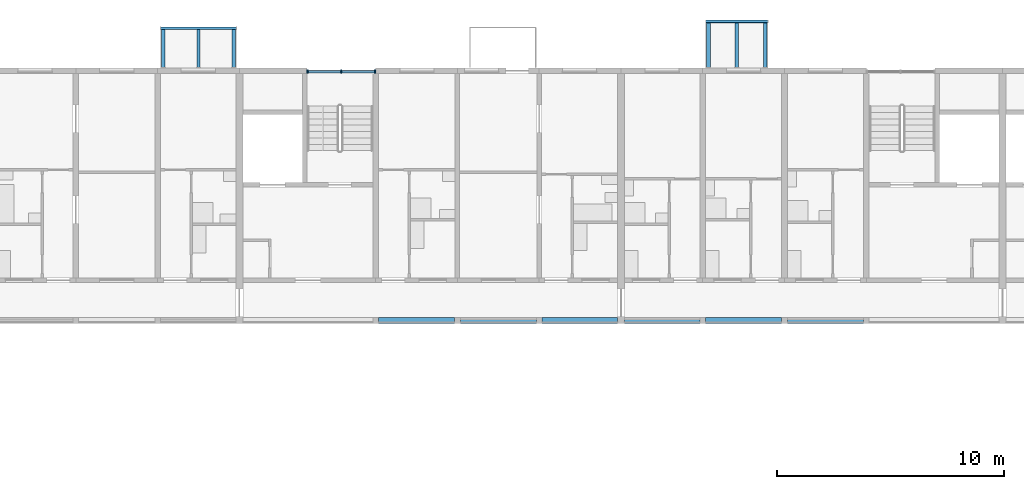
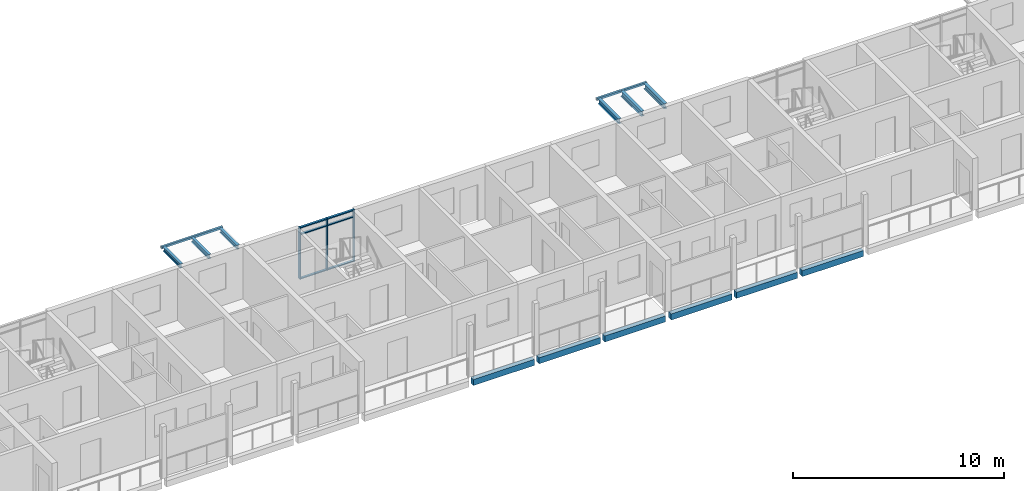
# One storey, part 27 of 115: 14 beams, 9 members, 1 element without a shape of its own.
"""IFC4 building model written with IfcOpenShell, lengths in metres."""

from ifc_helpers import new_model, si_unit, direction, frame, origin, origin_2d, place, context, subcontext, project, spatial, rectangle, hollow_rectangle, i_section, extrude, material, material_profile, profile_set, type_object, element, aggregate, save


model = new_model("IFC4")

# Units and contexts
model_context = context("Model", 3, precision=1e-05, world=origin(), true_north=direction((0.0, 1.0)))
body_context = subcontext(model_context, "Body", "Model", "MODEL_VIEW")
ifc_project = project(units=[si_unit("LENGTHUNIT", "METRE"), si_unit("AREAUNIT", "SQUARE_METRE"), si_unit("VOLUMEUNIT", "CUBIC_METRE"), si_unit("PLANEANGLEUNIT", "RADIAN"), si_unit("MASSUNIT", "GRAM", prefix="KILO")], contexts=[model_context])

# Site, building, storey
site_placement = place(None, origin())
site = spatial("IfcSite", under=ifc_project, at=site_placement, CompositionType="ELEMENT")
building_placement = place(site_placement, origin())
building = spatial("IfcBuilding", under=site, at=building_placement, Name="Ridgestep Commons", CompositionType="ELEMENT")
storey_placement = place(building_placement, frame((0.0, 0.0, 6.0)))
storey = spatial("IfcBuildingStorey", under=building, at=storey_placement, Name="L02", CompositionType="ELEMENT", Elevation=6.0)

# Beams
ifc_material_1 = material(Name="Precast concrete C40/50", Category="concrete")
ifc_material_profile_1 = material_profile(ifc_material_1, rectangle(XDim=0.25, YDim=0.35009765625, at=origin_2d()), Name="PC 250x350")
ifc_profile_set_1 = profile_set([ifc_material_profile_1], Name="Precast concrete C40/50")
beam_type_1 = type_object("IfcBeamType", Name="Loggia edge beam 250 x 350", PredefinedType="SPANDREL", material=ifc_profile_set_1)
beam_1_placement = place(storey_placement, frame((203.324951171875, 66.125, -0.375), z_axis=(1.0, 0.0, 0.0), x_axis=(0.0, 1.0, 0.0)))
element("IfcBeam", 1, at=beam_1_placement, inside=storey, type_object=beam_type_1, Name="Loggia edge beam C4T3 L02", PredefinedType="SPANDREL", context=body_context, shape_type="SweptSolid", body=[
    extrude(rectangle(XDim=0.25, YDim=0.35009765625, at=origin_2d()), origin(), (0.0, 0.0, 1.0), 3.35009765625),
])
beam_2_placement = place(storey_placement, frame((206.925048828125, 66.125, -0.375), z_axis=(1.0, 0.0, 0.0), x_axis=(0.0, 1.0, 0.0)))
element("IfcBeam", 2, at=beam_2_placement, inside=storey, type_object=beam_type_1, Name="Loggia edge beam C4T2 L02", PredefinedType="SPANDREL", context=body_context, shape_type="SweptSolid", body=[
    extrude(rectangle(XDim=0.25, YDim=0.35009765625, at=origin_2d()), origin(), (0.0, 0.0, 1.0), 3.349853515625),
])
for number, where, z_axis, x_axis, name in (
    (3, (210.52490234375, 66.125, -0.375), (1.0, 0.0, 0.0), (0.0, 1.0, 0.0), "Loggia edge beam C4T1 L02"),
    (4, (214.14990234375, 66.125, -0.375), (1.0, 0.0, 0.0), (0.0, 1.0, 0.0), "Loggia edge beam C5T1 L02"),
):
    element("IfcBeam", number, at=place(storey_placement, frame(where, z_axis=z_axis, x_axis=x_axis)), inside=storey, type_object=beam_type_1, Name=name, PredefinedType="SPANDREL", context=body_context, shape_type="SweptSolid", body=[
        extrude(rectangle(XDim=0.25, YDim=0.35009765625, at=origin_2d()), origin(), (0.0, 0.0, 1.0), 3.3251953125),
    ])
beam_3_placement = place(storey_placement, frame((217.72509765625, 66.125, -0.375), z_axis=(1.0, 0.0, 0.0), x_axis=(0.0, 1.0, 0.0)))
element("IfcBeam", 5, at=beam_3_placement, inside=storey, type_object=beam_type_1, Name="Loggia edge beam C5T2 L02", PredefinedType="SPANDREL", context=body_context, shape_type="SweptSolid", body=[
    extrude(rectangle(XDim=0.25, YDim=0.35009765625, at=origin_2d()), origin(), (0.0, 0.0, 1.0), 3.349853515625),
])
beam_4_placement = place(storey_placement, frame((221.324951171875, 66.125, -0.375), z_axis=(1.0, 0.0, 0.0), x_axis=(0.0, 1.0, 0.0)))
element("IfcBeam", 6, at=beam_4_placement, inside=storey, type_object=beam_type_1, Name="Loggia edge beam C5T3 L02", PredefinedType="SPANDREL", context=body_context, shape_type="SweptSolid", body=[
    extrude(rectangle(XDim=0.25, YDim=0.35009765625, at=origin_2d()), origin(), (0.0, 0.0, 1.0), 3.35009765625),
])

# Curtain wall, members
ifc_material_2 = material(Name="Aluminium 6063-T6 and glass", Category="aluminium")
curtain_wall_type = type_object("IfcCurtainWallType", Name="Curtain wall stair strip", PredefinedType="NOTDEFINED", material=ifc_material_2)
curtain_wall_placement = place(storey_placement, origin())
curtain_wall = element("IfcCurtainWall", 7, at=curtain_wall_placement, inside=storey, type_object=curtain_wall_type, Name="Curtain wall C4C level 02", PredefinedType="NOTDEFINED")
ifc_material_3 = material(Name="Aluminium 6063-T6", Category="aluminium")
ifc_material_profile_2 = material_profile(ifc_material_3, rectangle(XDim=0.159912109375, YDim=0.06005859375, at=origin_2d()), Name="Mullion 60 x 160")
ifc_profile_set_2 = profile_set([ifc_material_profile_2], Name="Aluminium 6063-T6")
member_type_1 = type_object("IfcMemberType", Name="Mullion 60 x 160", PredefinedType="MULLION", material=ifc_profile_set_2)
member_1_placement = place(storey_placement, frame((200.205078125, 77.080078125, 0.0), z_axis=(0.0, 0.0, 1.0), x_axis=(0.0, 1.0, 0.0)))
member_1 = element("IfcMember", 8, at=member_1_placement, type_object=member_type_1, Name="CW1 mullion 1", PredefinedType="MULLION", context=body_context, shape_type="SweptSolid", body=[
    extrude(rectangle(XDim=0.159912109375, YDim=0.06005859375, at=origin_2d()), origin(), (0.0, 0.0, 1.0), 3.0),
])
member_2_placement = place(storey_placement, frame((201.6875, 77.080078125, 0.0), z_axis=(0.0, 0.0, 1.0), x_axis=(0.0, 1.0, 0.0)))
member_2 = element("IfcMember", 9, at=member_2_placement, type_object=member_type_1, Name="CW1 mullion 2", PredefinedType="MULLION", context=body_context, shape_type="SweptSolid", body=[
    extrude(rectangle(XDim=0.159912109375, YDim=0.06005859375, at=origin_2d()), origin(), (0.0, 0.0, 1.0), 3.0),
])
member_3_placement = place(storey_placement, frame((203.169921875, 77.080078125, 0.0), z_axis=(0.0, 0.0, 1.0), x_axis=(0.0, 1.0, 0.0)))
member_3 = element("IfcMember", 10, at=member_3_placement, type_object=member_type_1, Name="CW1 mullion 3", PredefinedType="MULLION", context=body_context, shape_type="SweptSolid", body=[
    extrude(rectangle(XDim=0.159912109375, YDim=0.06005859375, at=origin_2d()), origin(), (0.0, 0.0, 1.0), 3.0),
])
ifc_material_4 = material(Name="Aluminium 6063-T6", Category="aluminium")
ifc_material_profile_3 = material_profile(ifc_material_4, rectangle(XDim=0.1201171875, YDim=0.06005859375, at=origin_2d()), Name="Transom 60 x 120")
ifc_profile_set_3 = profile_set([ifc_material_profile_3], Name="Aluminium 6063-T6")
member_type_2 = type_object("IfcMemberType", Name="Transom 60 x 120", PredefinedType="USERDEFINED", material=ifc_profile_set_3)
member_4_placement = place(storey_placement, frame((200.235107421875, 77.080078125, 0.030029296875), z_axis=(1.0, 0.0, 0.0), x_axis=(0.0, 1.0, 0.0)))
member_4 = element("IfcMember", 11, at=member_4_placement, type_object=member_type_2, Name="CW1 transom 1.1", ObjectType="TRANSOM", PredefinedType="USERDEFINED", context=body_context, shape_type="SweptSolid", body=[
    extrude(rectangle(XDim=0.1201171875, YDim=0.06005859375, at=origin_2d()), origin(), (0.0, 0.0, 1.0), 1.42236328125),
])
member_5_placement = place(storey_placement, frame((200.235107421875, 77.080078125, 2.590087890625), z_axis=(1.0, 0.0, 0.0), x_axis=(0.0, 1.0, 0.0)))
member_5 = element("IfcMember", 12, at=member_5_placement, type_object=member_type_2, Name="CW1 transom 1.2", ObjectType="TRANSOM", PredefinedType="USERDEFINED", context=body_context, shape_type="SweptSolid", body=[
    extrude(rectangle(XDim=0.1201171875, YDim=0.06005859375, at=origin_2d()), origin(), (0.0, 0.0, 1.0), 1.42236328125),
])
member_6_placement = place(storey_placement, frame((200.235107421875, 77.080078125, 2.969970703125), z_axis=(1.0, 0.0, 0.0), x_axis=(0.0, 1.0, 0.0)))
member_6 = element("IfcMember", 13, at=member_6_placement, type_object=member_type_2, Name="CW1 transom 1.3", ObjectType="TRANSOM", PredefinedType="USERDEFINED", context=body_context, shape_type="SweptSolid", body=[
    extrude(rectangle(XDim=0.1201171875, YDim=0.06005859375, at=origin_2d()), origin(), (0.0, 0.0, 1.0), 1.42236328125),
])
member_7_placement = place(storey_placement, frame((201.717529296875, 77.080078125, 0.030029296875), z_axis=(1.0, 0.0, 0.0), x_axis=(0.0, 1.0, 0.0)))
member_7 = element("IfcMember", 14, at=member_7_placement, type_object=member_type_2, Name="CW1 transom 2.1", ObjectType="TRANSOM", PredefinedType="USERDEFINED", context=body_context, shape_type="SweptSolid", body=[
    extrude(rectangle(XDim=0.1201171875, YDim=0.06005859375, at=origin_2d()), origin(), (0.0, 0.0, 1.0), 1.42236328125),
])
member_8_placement = place(storey_placement, frame((201.717529296875, 77.080078125, 2.590087890625), z_axis=(1.0, 0.0, 0.0), x_axis=(0.0, 1.0, 0.0)))
member_8 = element("IfcMember", 15, at=member_8_placement, type_object=member_type_2, Name="CW1 transom 2.2", ObjectType="TRANSOM", PredefinedType="USERDEFINED", context=body_context, shape_type="SweptSolid", body=[
    extrude(rectangle(XDim=0.1201171875, YDim=0.06005859375, at=origin_2d()), origin(), (0.0, 0.0, 1.0), 1.42236328125),
])
member_9_placement = place(storey_placement, frame((201.717529296875, 77.080078125, 2.969970703125), z_axis=(1.0, 0.0, 0.0), x_axis=(0.0, 1.0, 0.0)))
member_9 = element("IfcMember", 16, at=member_9_placement, type_object=member_type_2, Name="CW1 transom 2.3", ObjectType="TRANSOM", PredefinedType="USERDEFINED", context=body_context, shape_type="SweptSolid", body=[
    extrude(rectangle(XDim=0.1201171875, YDim=0.06005859375, at=origin_2d()), origin(), (0.0, 0.0, 1.0), 1.42236328125),
])
aggregate(curtain_wall, [member_1, member_2, member_3, member_4, member_5, member_6, member_7, member_8, member_9])

# Beams
ifc_material_5 = material(Name="Weathering steel S355J2W", Category="steel")
ifc_material_profile_4 = material_profile(ifc_material_5, i_section(OverallWidth=0.14599609375, OverallDepth=0.25146484375, WebThickness=0.006103515625, FlangeThickness=0.008544921875, FilletRadius=0.007568359375, at=origin_2d()), Name="UB 254x146x31")
ifc_profile_set_4 = profile_set([ifc_material_profile_4], Name="Weathering steel S355J2W")
beam_type_2 = type_object("IfcBeamType", Name="Tray arm UB 254x146x31", PredefinedType="BEAM", material=ifc_profile_set_4)
for number, where, z_axis, x_axis, name in (
    (17, (193.85009765625, 77.264892578125, 2.8642578125), (0.0, 1.0, 0.0), (-1.0, 0.0, 0.0), "Tray arm C3T1-03.1"),
    (18, (195.39990234375, 77.264892578125, 2.8642578125), (0.0, 1.0, 0.0), (-1.0, 0.0, 0.0), "Tray arm C3T1-03.2"),
    (19, (196.949951171875, 77.264892578125, 2.8642578125), (0.0, 1.0, 0.0), (-1.0, 0.0, 0.0), "Tray arm C3T1-03.3"),
):
    element("IfcBeam", number, at=place(storey_placement, frame(where, z_axis=z_axis, x_axis=x_axis)), inside=storey, type_object=beam_type_2, Name=name, PredefinedType="BEAM", context=body_context, shape_type="SweptSolid", body=[
        extrude(i_section(OverallWidth=0.14599609375, OverallDepth=0.25146484375, WebThickness=0.006103515625, FlangeThickness=0.008544921875, FilletRadius=0.007568359375, at=origin_2d()), origin(), (0.0, 0.0, 1.0), 1.6650390625),
    ])
ifc_material_6 = material(Name="Weathering steel S355J2W", Category="steel")
ifc_material_profile_5 = material_profile(ifc_material_6, i_section(OverallWidth=0.1650390625, OverallDepth=0.303466796875, WebThickness=0.006103515625, FlangeThickness=0.01025390625, FilletRadius=0.0087890625, at=origin_2d()), Name="UB 305x165x40")
ifc_profile_set_5 = profile_set([ifc_material_profile_5], Name="Weathering steel S355J2W")
beam_type_3 = type_object("IfcBeamType", Name="Tray arm UB 305x165x40", PredefinedType="BEAM", material=ifc_profile_set_5)
for number, where, z_axis, x_axis, name in (
    (20, (217.85009765625, 77.264892578125, 2.83837890625), (0.0, 1.0, 0.0), (-1.0, 0.0, 0.0), "Tray arm C5T2-03.1"),
    (21, (219.10009765625, 77.264892578125, 2.83837890625), (0.0, 1.0, 0.0), (-1.0, 0.0, 0.0), "Tray arm C5T2-03.2"),
    (22, (220.35009765625, 77.264892578125, 2.83837890625), (0.0, 1.0, 0.0), (-1.0, 0.0, 0.0), "Tray arm C5T2-03.3"),
):
    element("IfcBeam", number, at=place(storey_placement, frame(where, z_axis=z_axis, x_axis=x_axis)), inside=storey, type_object=beam_type_3, Name=name, PredefinedType="BEAM", context=body_context, shape_type="SweptSolid", body=[
        extrude(i_section(OverallWidth=0.1650390625, OverallDepth=0.303466796875, WebThickness=0.006103515625, FlangeThickness=0.01025390625, FilletRadius=0.0087890625, at=origin_2d()), origin(), (0.0, 0.0, 1.0), 1.965087890625),
    ])
ifc_material_7 = material(Name="Weathering steel S355J2W", Category="steel")
ifc_material_profile_6 = material_profile(ifc_material_7, hollow_rectangle(XDim=0.1201171875, YDim=0.1201171875, WallThickness=0.00634765625, InnerFilletRadius=0.00634765625, OuterFilletRadius=0.009521484375, at=origin_2d()), Name="SHS 120x120x6.3")
ifc_profile_set_6 = profile_set([ifc_material_profile_6], Name="Weathering steel S355J2W")
beam_type_4 = type_object("IfcBeamType", Name="Tray edge member SHS 120x120x6.3", PredefinedType="BEAM", material=ifc_profile_set_6)
beam_5_placement = place(storey_placement, frame((217.72998046875, 79.2900390625, 2.929931640625), z_axis=(1.0, 0.0, 0.0), x_axis=(0.0, 0.0, 1.0)))
element("IfcBeam", 23, at=beam_5_placement, inside=storey, type_object=beam_type_4, Name="Tray edge member C5T2-03", PredefinedType="BEAM", context=body_context, shape_type="SweptSolid", body=[
    extrude(hollow_rectangle(XDim=0.1201171875, YDim=0.1201171875, WallThickness=0.00634765625, InnerFilletRadius=0.00634765625, OuterFilletRadius=0.009521484375, at=origin_2d()), origin(), (0.0, 0.0, 1.0), 2.739990234375),
])
beam_6_placement = place(storey_placement, frame((193.72998046875, 78.989990234375, 2.929931640625), z_axis=(1.0, 0.0, 0.0), x_axis=(0.0, 0.0, 1.0)))
element("IfcBeam", 24, at=beam_6_placement, inside=storey, type_object=beam_type_4, Name="Tray edge member C3T1-03", PredefinedType="BEAM", context=body_context, shape_type="SweptSolid", body=[
    extrude(hollow_rectangle(XDim=0.1201171875, YDim=0.1201171875, WallThickness=0.00634765625, InnerFilletRadius=0.00634765625, OuterFilletRadius=0.009521484375, at=origin_2d()), origin(), (0.0, 0.0, 1.0), 3.340087890625),
])

save(model, "model.ifc")
